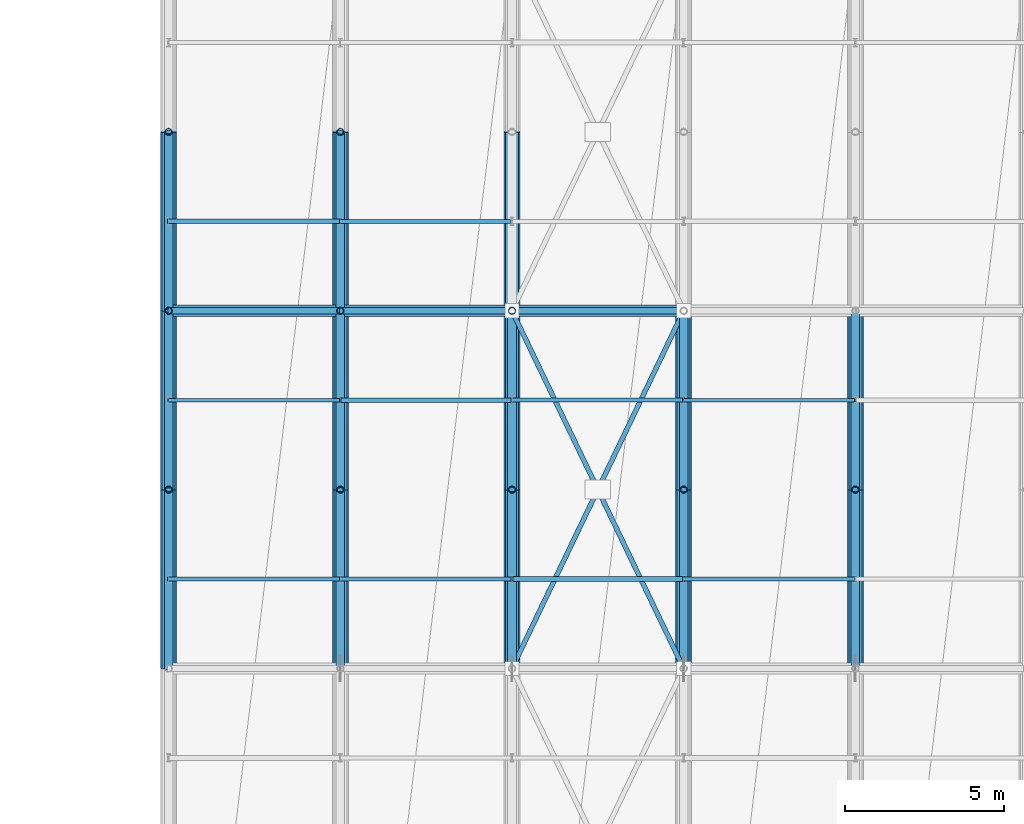
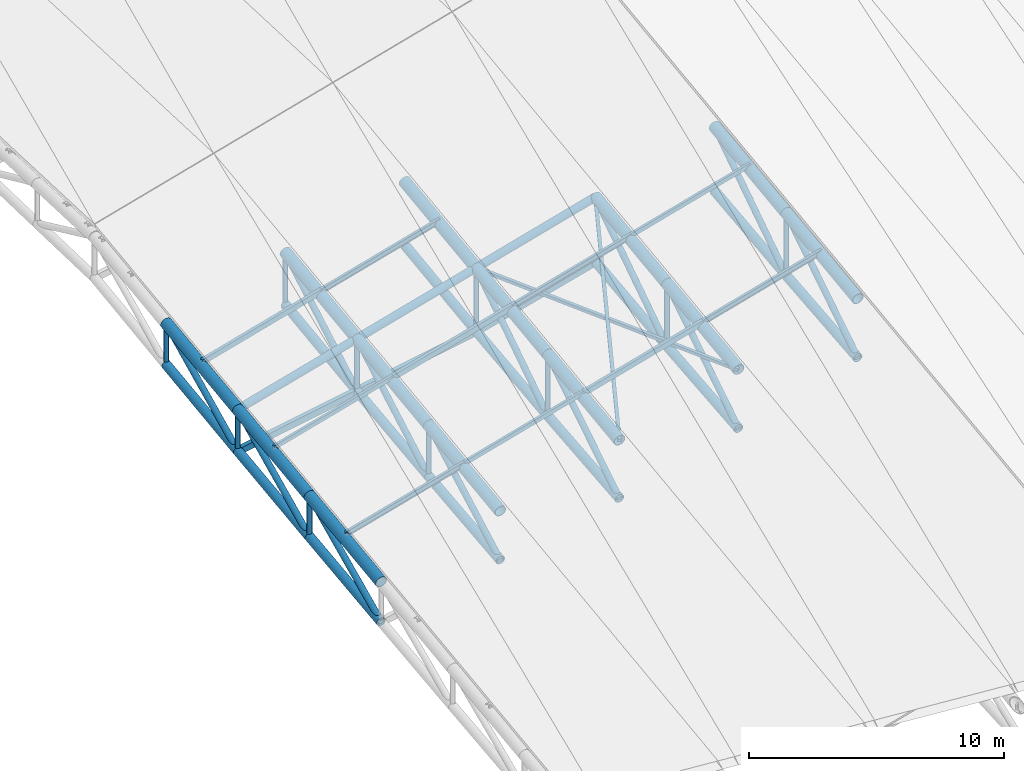
# One storey, part 11 of 109: 41 members, 26 beams.
"""IFC4 building model written with IfcOpenShell, lengths in metres."""

from ifc_helpers import new_model, si_unit, direction, frame, origin, origin_2d, place, context, subcontext, project, spatial, hollow_rectangle, hollow_circle, i_section, extrude, material, material_profile, profile_set, type_object, element, save


model = new_model("IFC4")

# Units and contexts
model_context = context("Model", 3, precision=1e-05, world=origin(), true_north=direction((0.0, 1.0)))
body_context = subcontext(model_context, "Body", "Model", "MODEL_VIEW")
ifc_project = project(units=[si_unit("LENGTHUNIT", "METRE"), si_unit("AREAUNIT", "SQUARE_METRE"), si_unit("VOLUMEUNIT", "CUBIC_METRE"), si_unit("PLANEANGLEUNIT", "RADIAN"), si_unit("MASSUNIT", "GRAM", prefix="KILO")], contexts=[model_context])

# Site, building, storey
site_placement = place(None, origin())
site = spatial("IfcSite", under=ifc_project, at=site_placement, CompositionType="ELEMENT")
building_placement = place(site_placement, origin())
building = spatial("IfcBuilding", under=site, at=building_placement, Name="Suirenkawa Promenade Aquatics Centre", CompositionType="ELEMENT")
storey_placement = place(building_placement, frame((0.0, 0.0, 22.800048828125)))
storey = spatial("IfcBuildingStorey", under=building, at=storey_placement, Name="ROOF", CompositionType="ELEMENT", Elevation=22.800048828125)

# Beams
ifc_material = material(Name="Steel IS 2062 E350 (Grade 350)", Category="steel")
ifc_material_profile_1 = material_profile(ifc_material, hollow_circle(Radius=0.202880859375, WallThickness=0.01806640625, at=origin_2d()), Name="CHS 406x18", Category="steel")
ifc_profile_set_1 = profile_set([ifc_material_profile_1], Name="Steel IS 2062 E350 (Grade 350)")
beam_type_1 = type_object("IfcBeamType", Name="BT-BC-CHS406", PredefinedType="BEAM", material=ifc_profile_set_1)
beam_1_placement = place(storey_placement, frame((46.800048828125, 72.89990234375, -14.008056640625), z_axis=(0.0, 0.993022923404, 0.117921472154), x_axis=(-1.0, 0.0, 0.0)))
element("IfcBeam", 1, at=beam_1_placement, inside=storey, type_object=beam_type_1, Name="ROOF TRUSS V1 bottom chord BC-01 BM-1816", PredefinedType="BEAM", context=body_context, shape_type="SweptSolid", body=[
    extrude(hollow_circle(Radius=0.202880859375, WallThickness=0.01806640625, at=origin_2d()), origin(), (0.0, 0.0, 1.0), 5.66455078125),
])
beam_2_placement = place(storey_placement, frame((46.800048828125, 78.52490234375, -13.340087890625), z_axis=(0.0, 0.992409843622, 0.122974396855), x_axis=(-1.0, 0.0, 0.0)))
element("IfcBeam", 2, at=beam_2_placement, inside=storey, type_object=beam_type_1, Name="ROOF TRUSS V1 bottom chord BC-01 BM-1818", PredefinedType="BEAM", context=body_context, shape_type="SweptSolid", body=[
    extrude(hollow_circle(Radius=0.202880859375, WallThickness=0.01806640625, at=origin_2d()), origin(), (0.0, 0.0, 1.0), 5.66796875),
])
beam_3_placement = place(storey_placement, frame((46.800048828125, 84.14990234375, -12.64306640625), z_axis=(0.0, 0.991706164536, 0.128525807609), x_axis=(-1.0, 0.0, 0.0)))
element("IfcBeam", 3, at=beam_3_placement, inside=storey, type_object=beam_type_1, Name="ROOF TRUSS V1 bottom chord BC-01 BM-1820", PredefinedType="BEAM", context=body_context, shape_type="SweptSolid", body=[
    extrude(hollow_circle(Radius=0.202880859375, WallThickness=0.01806640625, at=origin_2d()), origin(), (0.0, 0.0, 1.0), 5.672119140625),
])
beam_4_placement = place(storey_placement, frame((52.199951171875, 72.89990234375, -12.945068359375), z_axis=(0.0, 0.99415070903, 0.108001702461), x_axis=(-1.0, 0.0, 0.0)))
element("IfcBeam", 4, at=beam_4_placement, inside=storey, type_object=beam_type_1, Name="ROOF TRUSS V1 bottom chord BC-01 BM-1844", PredefinedType="BEAM", context=body_context, shape_type="SweptSolid", body=[
    extrude(hollow_circle(Radius=0.202880859375, WallThickness=0.01806640625, at=origin_2d()), origin(), (0.0, 0.0, 1.0), 5.658203125),
])
beam_5_placement = place(storey_placement, frame((52.199951171875, 78.52490234375, -12.333984375), z_axis=(0.0, 0.993002721465, 0.11809146948), x_axis=(-1.0, 0.0, 0.0)))
element("IfcBeam", 5, at=beam_5_placement, inside=storey, type_object=beam_type_1, Name="ROOF TRUSS V1 bottom chord BC-01 BM-1846", PredefinedType="BEAM", context=body_context, shape_type="SweptSolid", body=[
    extrude(hollow_circle(Radius=0.202880859375, WallThickness=0.01806640625, at=origin_2d()), origin(), (0.0, 0.0, 1.0), 5.66455078125),
])
beam_6_placement = place(storey_placement, frame((52.199951171875, 84.14990234375, -11.6650390625), z_axis=(0.0, 0.991662218835, 0.128864439375), x_axis=(-1.0, 0.0, 0.0)))
element("IfcBeam", 6, at=beam_6_placement, inside=storey, type_object=beam_type_1, Name="ROOF TRUSS V1 bottom chord BC-01 BM-1848", PredefinedType="BEAM", context=body_context, shape_type="SweptSolid", body=[
    extrude(hollow_circle(Radius=0.202880859375, WallThickness=0.01806640625, at=origin_2d()), origin(), (0.0, 0.0, 1.0), 5.67236328125),
])
beam_7_placement = place(storey_placement, frame((57.60009765625, 72.89990234375, -11.881103515625), z_axis=(0.0, 0.995219391524, 0.09766454185), x_axis=(-1.0, 0.0, 0.0)))
element("IfcBeam", 7, at=beam_7_placement, inside=storey, type_object=beam_type_1, Name="ROOF TRUSS V1 bottom chord BC-01 BM-1872", PredefinedType="BEAM", context=body_context, shape_type="SweptSolid", body=[
    extrude(hollow_circle(Radius=0.202880859375, WallThickness=0.01806640625, at=origin_2d()), origin(), (0.0, 0.0, 1.0), 5.652099609375),
])
beam_8_placement = place(storey_placement, frame((57.60009765625, 78.52490234375, -11.3291015625), z_axis=(0.0, 0.993547952937, 0.113412808864), x_axis=(-1.0, 0.0, 0.0)))
element("IfcBeam", 8, at=beam_8_placement, inside=storey, type_object=beam_type_1, Name="ROOF TRUSS V1 bottom chord BC-01 BM-1874", PredefinedType="BEAM", context=body_context, shape_type="SweptSolid", body=[
    extrude(hollow_circle(Radius=0.202880859375, WallThickness=0.01806640625, at=origin_2d()), origin(), (0.0, 0.0, 1.0), 5.66162109375),
])
beam_9_placement = place(storey_placement, frame((57.60009765625, 84.14990234375, -10.68701171875), z_axis=(0.0, 0.991596090831, 0.129372302476), x_axis=(-1.0, 0.0, 0.0)))
element("IfcBeam", 9, at=beam_9_placement, inside=storey, type_object=beam_type_1, Name="ROOF TRUSS V1 bottom chord BC-01 BM-1876", PredefinedType="BEAM", context=body_context, shape_type="SweptSolid", body=[
    extrude(hollow_circle(Radius=0.202880859375, WallThickness=0.01806640625, at=origin_2d()), origin(), (0.0, 0.0, 1.0), 5.672607421875),
])
beam_10_placement = place(storey_placement, frame((63.0, 72.89990234375, -10.427001953125), z_axis=(0.0, 0.995307161767, 0.096765974061), x_axis=(-1.0, 0.0, 0.0)))
element("IfcBeam", 10, at=beam_10_placement, inside=storey, type_object=beam_type_1, Name="ROOF TRUSS V1 bottom chord BC-01 BM-1900", PredefinedType="BEAM", context=body_context, shape_type="SweptSolid", body=[
    extrude(hollow_circle(Radius=0.202880859375, WallThickness=0.01806640625, at=origin_2d()), origin(), (0.0, 0.0, 1.0), 5.651611328125),
])
beam_11_placement = place(storey_placement, frame((63.0, 78.52490234375, -9.880126953125), z_axis=(0.0, 0.993625471381, 0.112731639852), x_axis=(-1.0, 0.0, 0.0)))
element("IfcBeam", 11, at=beam_11_placement, inside=storey, type_object=beam_type_1, Name="ROOF TRUSS V1 bottom chord BC-01 BM-1902", PredefinedType="BEAM", context=body_context, shape_type="SweptSolid", body=[
    extrude(hollow_circle(Radius=0.202880859375, WallThickness=0.01806640625, at=origin_2d()), origin(), (0.0, 0.0, 1.0), 5.6611328125),
])
beam_12_placement = place(storey_placement, frame((68.39990234375, 72.89990234375, -8.927001953125), z_axis=(0.0, 0.995307161767, 0.096765974061), x_axis=(-1.0, 0.0, 0.0)))
element("IfcBeam", 12, at=beam_12_placement, inside=storey, type_object=beam_type_1, Name="ROOF TRUSS V1 bottom chord BC-01 BM-1928", PredefinedType="BEAM", context=body_context, shape_type="SweptSolid", body=[
    extrude(hollow_circle(Radius=0.202880859375, WallThickness=0.01806640625, at=origin_2d()), origin(), (0.0, 0.0, 1.0), 5.651611328125),
])
beam_13_placement = place(storey_placement, frame((68.39990234375, 78.52490234375, -8.380126953125), z_axis=(0.0, 0.993625471381, 0.112731639852), x_axis=(-1.0, 0.0, 0.0)))
element("IfcBeam", 13, at=beam_13_placement, inside=storey, type_object=beam_type_1, Name="ROOF TRUSS V1 bottom chord BC-01 BM-1930", PredefinedType="BEAM", context=body_context, shape_type="SweptSolid", body=[
    extrude(hollow_circle(Radius=0.202880859375, WallThickness=0.01806640625, at=origin_2d()), origin(), (0.0, 0.0, 1.0), 5.6611328125),
])
ifc_material_profile_2 = material_profile(ifc_material, hollow_circle(Radius=0.25390625, WallThickness=0.02392578125, at=origin_2d()), Name="CHS 508x24", Category="steel")
ifc_profile_set_2 = profile_set([ifc_material_profile_2], Name="Steel IS 2062 E350 (Grade 350)")
beam_type_2 = type_object("IfcBeamType", Name="BT-TC-CHS508", PredefinedType="BEAM", material=ifc_profile_set_2)
for number, where, z_axis, x_axis, name in (
    (14, (46.800048828125, 72.89990234375, -12.10009765625), (0.0, 0.991793720609, 0.127848409297), (-1.0, 0.0, 0.0), "ROOF TRUSS V1 top chord TC-02 BM-1815"),
    (15, (46.800048828125, 78.52490234375, -11.375), (0.0, 0.991799178012, 0.127806065951), (-1.0, 0.0, 0.0), "ROOF TRUSS V1 top chord TC-02 BM-1817"),
    (16, (46.800048828125, 84.14990234375, -10.650146484375), (0.0, 0.991793720609, 0.127848409297), (-1.0, 0.0, 0.0), "ROOF TRUSS V1 top chord TC-02 BM-1819"),
    (17, (52.199951171875, 72.89990234375, -10.60009765625), (0.0, 0.991793720609, 0.127848409297), (-1.0, 0.0, 0.0), "ROOF TRUSS V1 top chord TC-02 BM-1843"),
    (18, (52.199951171875, 78.52490234375, -9.875), (0.0, 0.991799178012, 0.127806065951), (-1.0, 0.0, 0.0), "ROOF TRUSS V1 top chord TC-02 BM-1845"),
    (19, (52.199951171875, 84.14990234375, -9.150146484375), (0.0, 0.991793720609, 0.127848409297), (-1.0, 0.0, 0.0), "ROOF TRUSS V1 top chord TC-02 BM-1847"),
    (20, (57.60009765625, 72.89990234375, -9.10009765625), (0.0, 0.991793720609, 0.127848409297), (-1.0, 0.0, 0.0), "ROOF TRUSS V1 top chord TC-02 BM-1871"),
    (21, (57.60009765625, 78.52490234375, -8.375), (0.0, 0.991799178012, 0.127806065951), (-1.0, 0.0, 0.0), "ROOF TRUSS V1 top chord TC-02 BM-1873"),
    (22, (57.60009765625, 84.14990234375, -7.650146484375), (0.0, 0.991793720609, 0.127848409297), (-1.0, 0.0, 0.0), "ROOF TRUSS V1 top chord TC-02 BM-1875"),
    (23, (63.0, 72.89990234375, -7.60009765625), (0.0, 0.991793720609, 0.127848409297), (-1.0, 0.0, 0.0), "ROOF TRUSS V1 top chord TC-02 BM-1899"),
    (24, (63.0, 78.52490234375, -6.875), (0.0, 0.991799178012, 0.127806065951), (-1.0, 0.0, 0.0), "ROOF TRUSS V1 top chord TC-02 BM-1901"),
    (25, (68.39990234375, 72.89990234375, -6.10009765625), (0.0, 0.991793720609, 0.127848409297), (-1.0, 0.0, 0.0), "ROOF TRUSS V1 top chord TC-02 BM-1927"),
    (26, (68.39990234375, 78.52490234375, -5.375), (0.0, 0.991799178012, 0.127806065951), (-1.0, 0.0, 0.0), "ROOF TRUSS V1 top chord TC-02 BM-1929"),
):
    element("IfcBeam", number, at=place(storey_placement, frame(where, z_axis=z_axis, x_axis=x_axis)), inside=storey, type_object=beam_type_2, Name=name, PredefinedType="BEAM", context=body_context, shape_type="SweptSolid", body=[
        extrude(hollow_circle(Radius=0.25390625, WallThickness=0.02392578125, at=origin_2d()), origin(), (0.0, 0.0, 1.0), 5.671630859375),
    ])

# Members
ifc_material_profile_3 = material_profile(ifc_material, hollow_rectangle(XDim=0.14990234375, YDim=0.14990234375, WallThickness=0.008056640625, at=origin_2d()), Name="SHS 150x150x8", Category="steel")
ifc_profile_set_3 = profile_set([ifc_material_profile_3], Name="Steel IS 2062 E350 (Grade 350)")
member_type_1 = type_object("IfcMemberType", Name="MT-BRACE-SHS150", PredefinedType="BRACE", material=ifc_profile_set_3)
member_1_placement = place(storey_placement, frame((57.60009765625, 72.89990234375, -9.10009765625), z_axis=(0.421117950341, 0.877344929548, 0.230055529161), x_axis=(-0.901526110403, 0.432724707246, 0.0)))
element("IfcMember", 27, at=member_1_placement, inside=storey, type_object=member_type_1, Name="ROOF TRUSS V1 continuous plan brace BF-02 MB-0929", PredefinedType="BRACE", context=body_context, shape_type="SweptSolid", body=[
    extrude(hollow_rectangle(XDim=0.14990234375, YDim=0.14990234375, WallThickness=0.008056640625, at=origin_2d()), origin(), (0.0, 0.0, 1.0), 12.82275390625),
])
member_2_placement = place(storey_placement, frame((63.0, 72.89990234375, -7.60009765625), z_axis=(-0.432727524929, 0.901515676935, -0.004046406999), x_axis=(-0.901523057468, -0.432731067585, 0.0)))
element("IfcMember", 28, at=member_2_placement, inside=storey, type_object=member_type_1, Name="ROOF TRUSS V1 split plan brace A BF-02 MB-0930", PredefinedType="BRACE", context=body_context, shape_type="SweptSolid", body=[
    extrude(hollow_rectangle(XDim=0.14990234375, YDim=0.14990234375, WallThickness=0.008056640625, at=origin_2d()), origin(), (0.0, 0.0, 1.0), 6.154296875),
])
member_3_placement = place(storey_placement, frame((60.262939453125, 78.60205078125, -7.625), z_axis=(-0.432710687901, 0.901523578607, -0.004086293284), x_axis=(-0.901531105428, -0.432714300603, 0.0)))
element("IfcMember", 29, at=member_3_placement, inside=storey, type_object=member_type_1, Name="ROOF TRUSS V1 split plan brace B BF-02 MB-0931", PredefinedType="BRACE", context=body_context, shape_type="SweptSolid", body=[
    extrude(hollow_rectangle(XDim=0.14990234375, YDim=0.14990234375, WallThickness=0.008056640625, at=origin_2d()), origin(), (0.0, 0.0, 1.0), 6.15380859375),
])
ifc_material_profile_4 = material_profile(ifc_material, hollow_circle(Radius=0.177978515625, WallThickness=0.01611328125, at=origin_2d()), Name="CHS 356x16", Category="steel")
ifc_profile_set_4 = profile_set([ifc_material_profile_4], Name="Steel IS 2062 E350 (Grade 350)")
member_type_2 = type_object("IfcMemberType", Name="MT-CHORD-CHS356", PredefinedType="CHORD", material=ifc_profile_set_4)
member_4_placement = place(storey_placement, frame((46.800048828125, 84.14990234375, -10.650146484375), z_axis=(0.963516661409, 0.0, 0.267648357342), x_axis=(0.0, 1.0, 0.0)))
element("IfcMember", 30, at=member_4_placement, inside=storey, type_object=member_type_2, Name="ROOF TRUSS V1 tie chord CH-02 MB-0768", PredefinedType="CHORD", context=body_context, shape_type="SweptSolid", body=[
    extrude(hollow_circle(Radius=0.177978515625, WallThickness=0.01611328125, at=origin_2d()), origin(), (0.0, 0.0, 1.0), 5.604248046875),
])
member_5_placement = place(storey_placement, frame((52.199951171875, 84.14990234375, -9.150146484375), z_axis=(0.963519781844, 0.0, 0.267637123724), x_axis=(0.0, 1.0, 0.0)))
element("IfcMember", 31, at=member_5_placement, inside=storey, type_object=member_type_2, Name="ROOF TRUSS V1 tie chord CH-02 MB-0770", PredefinedType="CHORD", context=body_context, shape_type="SweptSolid", body=[
    extrude(hollow_circle(Radius=0.177978515625, WallThickness=0.01611328125, at=origin_2d()), origin(), (0.0, 0.0, 1.0), 5.6044921875),
])
member_6_placement = place(storey_placement, frame((57.60009765625, 84.14990234375, -7.650146484375), z_axis=(0.963516661409, 0.0, 0.267648357342), x_axis=(0.0, 1.0, 0.0)))
element("IfcMember", 32, at=member_6_placement, inside=storey, type_object=member_type_2, Name="ROOF TRUSS V1 tie chord CH-02 MB-0772", PredefinedType="CHORD", context=body_context, shape_type="SweptSolid", body=[
    extrude(hollow_circle(Radius=0.177978515625, WallThickness=0.01611328125, at=origin_2d()), origin(), (0.0, 0.0, 1.0), 5.604248046875),
])
ifc_material_profile_5 = material_profile(ifc_material, hollow_rectangle(XDim=0.199951171875, YDim=0.300048828125, WallThickness=0.011962890625, at=origin_2d()), Name="RHS 300x200x12", Category="steel")
ifc_profile_set_5 = profile_set([ifc_material_profile_5], Name="Steel IS 2062 E350 (Grade 350)")
member_type_3 = type_object("IfcMemberType", Name="MT-CHORD-RHS300", PredefinedType="CHORD", material=ifc_profile_set_5)
member_7_placement = place(storey_placement, frame((46.800048828125, 84.14990234375, -12.64306640625), z_axis=(0.983990692983, 0.0, 0.178219853336), x_axis=(0.0, 1.0, 0.0)))
element("IfcMember", 33, at=member_7_placement, inside=storey, type_object=member_type_3, Name="ROOF TRUSS V1 bottom tie CH-03 MB-0769", PredefinedType="CHORD", context=body_context, shape_type="SweptSolid", body=[
    extrude(hollow_rectangle(XDim=0.199951171875, YDim=0.300048828125, WallThickness=0.011962890625, at=origin_2d()), origin(), (0.0, 0.0, 1.0), 5.48779296875),
])
member_8_placement = place(storey_placement, frame((52.199951171875, 84.14990234375, -11.6650390625), z_axis=(0.983992105939, 0.0, 0.178212051919), x_axis=(0.0, 1.0, 0.0)))
element("IfcMember", 34, at=member_8_placement, inside=storey, type_object=member_type_3, Name="ROOF TRUSS V1 bottom tie CH-03 MB-0771", PredefinedType="CHORD", context=body_context, shape_type="SweptSolid", body=[
    extrude(hollow_rectangle(XDim=0.199951171875, YDim=0.300048828125, WallThickness=0.011962890625, at=origin_2d()), origin(), (0.0, 0.0, 1.0), 5.488037109375),
])
member_9_placement = place(storey_placement, frame((57.60009765625, 84.14990234375, -10.68701171875), z_axis=(0.966007671503, 0.0, 0.258513401195), x_axis=(0.0, 1.0, 0.0)))
element("IfcMember", 35, at=member_9_placement, inside=storey, type_object=member_type_3, Name="ROOF TRUSS V1 bottom tie CH-03 MB-0773", PredefinedType="CHORD", context=body_context, shape_type="SweptSolid", body=[
    extrude(hollow_rectangle(XDim=0.199951171875, YDim=0.300048828125, WallThickness=0.011962890625, at=origin_2d()), origin(), (0.0, 0.0, 1.0), 5.58984375),
])
ifc_material_profile_6 = material_profile(ifc_material, i_section(OverallWidth=0.125, OverallDepth=0.25, WebThickness=0.007080078125, FlangeThickness=0.012939453125, at=origin_2d()), Name="ISMB 250", Category="steel")
ifc_profile_set_6 = profile_set([ifc_material_profile_6], Name="Steel IS 2062 E350 (Grade 350)")
member_type_4 = type_object("IfcMemberType", Name="MT-PURLIN-ISMB250", PredefinedType="PURLIN", material=ifc_profile_set_6)
member_10_placement = place(storey_placement, frame((46.800048828125, 75.712890625, -11.51611328125), z_axis=(0.963516661409, 0.0, 0.267648357342), x_axis=(0.0, 1.0, 0.0)))
element("IfcMember", 36, at=member_10_placement, inside=storey, type_object=member_type_4, Name="ROOF TRUSS Roof purlin PU-04 MB-1684", PredefinedType="PURLIN", context=body_context, shape_type="SweptSolid", body=[
    extrude(i_section(OverallWidth=0.125, OverallDepth=0.25, WebThickness=0.007080078125, FlangeThickness=0.012939453125, at=origin_2d()), origin(), (0.0, 0.0, 1.0), 5.604248046875),
])
member_11_placement = place(storey_placement, frame((52.199951171875, 86.962890625, -8.567138671875), z_axis=(0.963519781844, 0.0, 0.267637123724), x_axis=(0.0, 1.0, 0.0)))
element("IfcMember", 37, at=member_11_placement, inside=storey, type_object=member_type_4, Name="ROOF TRUSS Roof purlin PU-04 MB-1737", PredefinedType="PURLIN", context=body_context, shape_type="SweptSolid", body=[
    extrude(i_section(OverallWidth=0.125, OverallDepth=0.25, WebThickness=0.007080078125, FlangeThickness=0.012939453125, at=origin_2d()), origin(), (0.0, 0.0, 1.0), 5.6044921875),
])
member_12_placement = place(storey_placement, frame((57.60009765625, 81.337890625, -7.7919921875), z_axis=(0.96347171364, 0.0, 0.267810113729), x_axis=(0.0, 1.0, 0.0)))
element("IfcMember", 38, at=member_12_placement, inside=storey, type_object=member_type_4, Name="ROOF TRUSS Roof purlin PU-04 MB-1771", PredefinedType="PURLIN", context=body_context, shape_type="SweptSolid", body=[
    extrude(i_section(OverallWidth=0.125, OverallDepth=0.25, WebThickness=0.007080078125, FlangeThickness=0.012939453125, at=origin_2d()), origin(), (0.0, 0.0, 1.0), 5.604736328125),
])
member_13_placement = place(storey_placement, frame((63.0, 75.712890625, -7.01611328125), z_axis=(0.963516661409, 0.0, 0.267648357342), x_axis=(0.0, 1.0, 0.0)))
element("IfcMember", 39, at=member_13_placement, inside=storey, type_object=member_type_4, Name="ROOF TRUSS Roof purlin PU-04 MB-1805", PredefinedType="PURLIN", context=body_context, shape_type="SweptSolid", body=[
    extrude(i_section(OverallWidth=0.125, OverallDepth=0.25, WebThickness=0.007080078125, FlangeThickness=0.012939453125, at=origin_2d()), origin(), (0.0, 0.0, 1.0), 5.604248046875),
])
ifc_material_profile_7 = material_profile(ifc_material, hollow_rectangle(XDim=0.1201171875, YDim=0.199951171875, WallThickness=0.008056640625, at=origin_2d()), Name="RHS 200x120x8", Category="steel")
ifc_profile_set_7 = profile_set([ifc_material_profile_7], Name="Steel IS 2062 E350 (Grade 350)")
member_type_5 = type_object("IfcMemberType", Name="MT-PURLIN-RHS200", PredefinedType="PURLIN", material=ifc_profile_set_7)
member_14_placement = place(storey_placement, frame((46.800048828125, 81.337890625, -10.76611328125), z_axis=(0.963516661409, 0.0, 0.267648357342), x_axis=(0.0, 1.0, 0.0)))
element("IfcMember", 40, at=member_14_placement, inside=storey, type_object=member_type_5, Name="ROOF TRUSS Roof purlin PU-02 MB-1687", PredefinedType="PURLIN", context=body_context, shape_type="SweptSolid", body=[
    extrude(hollow_rectangle(XDim=0.1201171875, YDim=0.199951171875, WallThickness=0.008056640625, at=origin_2d()), origin(), (0.0, 0.0, 1.0), 5.604248046875),
])
member_15_placement = place(storey_placement, frame((52.199951171875, 75.712890625, -9.990966796875), z_axis=(0.963519781844, 0.0, 0.267637123724), x_axis=(0.0, 1.0, 0.0)))
element("IfcMember", 41, at=member_15_placement, inside=storey, type_object=member_type_5, Name="ROOF TRUSS Roof purlin PU-02 MB-1733", PredefinedType="PURLIN", context=body_context, shape_type="SweptSolid", body=[
    extrude(hollow_rectangle(XDim=0.1201171875, YDim=0.199951171875, WallThickness=0.008056640625, at=origin_2d()), origin(), (0.0, 0.0, 1.0), 5.6044921875),
])
member_16_placement = place(storey_placement, frame((63.0, 81.337890625, -6.26611328125), z_axis=(0.963516661409, 0.0, 0.267648357342), x_axis=(0.0, 1.0, 0.0)))
element("IfcMember", 42, at=member_16_placement, inside=storey, type_object=member_type_5, Name="ROOF TRUSS Roof purlin PU-02 MB-1807", PredefinedType="PURLIN", context=body_context, shape_type="SweptSolid", body=[
    extrude(hollow_rectangle(XDim=0.1201171875, YDim=0.199951171875, WallThickness=0.008056640625, at=origin_2d()), origin(), (0.0, 0.0, 1.0), 5.604248046875),
])
ifc_material_profile_8 = material_profile(ifc_material, hollow_rectangle(XDim=0.14990234375, YDim=0.25, WallThickness=0.010009765625, at=origin_2d()), Name="RHS 250x150x10", Category="steel")
ifc_profile_set_8 = profile_set([ifc_material_profile_8], Name="Steel IS 2062 E350 (Grade 350)")
member_type_6 = type_object("IfcMemberType", Name="MT-PURLIN-RHS250", PredefinedType="PURLIN", material=ifc_profile_set_8)
member_17_placement = place(storey_placement, frame((46.800048828125, 86.962890625, -10.068115234375), z_axis=(0.963516661409, 0.0, 0.267648357342), x_axis=(0.0, 1.0, 0.0)))
element("IfcMember", 43, at=member_17_placement, inside=storey, type_object=member_type_6, Name="ROOF TRUSS Roof purlin PU-03 MB-1690", PredefinedType="PURLIN", context=body_context, shape_type="SweptSolid", body=[
    extrude(hollow_rectangle(XDim=0.14990234375, YDim=0.25, WallThickness=0.010009765625, at=origin_2d()), origin(), (0.0, 0.0, 1.0), 5.604248046875),
])
member_18_placement = place(storey_placement, frame((52.199951171875, 81.337890625, -9.29296875), z_axis=(0.963519781844, 0.0, 0.267637123724), x_axis=(0.0, 1.0, 0.0)))
element("IfcMember", 44, at=member_18_placement, inside=storey, type_object=member_type_6, Name="ROOF TRUSS Roof purlin PU-03 MB-1735", PredefinedType="PURLIN", context=body_context, shape_type="SweptSolid", body=[
    extrude(hollow_rectangle(XDim=0.14990234375, YDim=0.25, WallThickness=0.010009765625, at=origin_2d()), origin(), (0.0, 0.0, 1.0), 5.6044921875),
])
member_19_placement = place(storey_placement, frame((57.60009765625, 75.712890625, -8.51806640625), z_axis=(0.963516661409, 0.0, 0.267648357342), x_axis=(0.0, 1.0, 0.0)))
element("IfcMember", 45, at=member_19_placement, inside=storey, type_object=member_type_6, Name="ROOF TRUSS Roof purlin PU-03 MB-1769", PredefinedType="PURLIN", context=body_context, shape_type="SweptSolid", body=[
    extrude(hollow_rectangle(XDim=0.14990234375, YDim=0.25, WallThickness=0.010009765625, at=origin_2d()), origin(), (0.0, 0.0, 1.0), 5.604248046875),
])
ifc_material_profile_9 = material_profile(ifc_material, hollow_circle(Radius=0.110107421875, WallThickness=0.010009765625, at=origin_2d()), Name="CHS 220x10", Category="steel")
ifc_profile_set_9 = profile_set([ifc_material_profile_9], Name="Steel IS 2062 E350 (Grade 350)")
member_type_7 = type_object("IfcMemberType", Name="MT-WEB-CHS220", PredefinedType="BRACE", material=ifc_profile_set_9)
member_20_placement = place(storey_placement, frame((46.800048828125, 78.52490234375, -13.340087890625), z_axis=(0.0, 0.0, 1.0), x_axis=(1.0, 0.0, 0.0)))
element("IfcMember", 46, at=member_20_placement, inside=storey, type_object=member_type_7, Name="ROOF TRUSS V1 web post TD-01 MB-0019", PredefinedType="BRACE", context=body_context, shape_type="SweptSolid", body=[
    extrude(hollow_circle(Radius=0.110107421875, WallThickness=0.010009765625, at=origin_2d()), origin(), (0.0, 0.0, 1.0), 1.965087890625),
])
member_21_placement = place(storey_placement, frame((46.800048828125, 84.14990234375, -12.64306640625), z_axis=(0.0, 0.0, 1.0), x_axis=(1.0, 0.0, 0.0)))
element("IfcMember", 47, at=member_21_placement, inside=storey, type_object=member_type_7, Name="ROOF TRUSS V1 web post TD-01 MB-0020", PredefinedType="BRACE", context=body_context, shape_type="SweptSolid", body=[
    extrude(hollow_circle(Radius=0.110107421875, WallThickness=0.010009765625, at=origin_2d()), origin(), (0.0, 0.0, 1.0), 1.992919921875),
])
member_22_placement = place(storey_placement, frame((46.800048828125, 89.77490234375, -11.9140625), z_axis=(0.0, 0.0, 1.0), x_axis=(1.0, 0.0, 0.0)))
element("IfcMember", 48, at=member_22_placement, inside=storey, type_object=member_type_7, Name="ROOF TRUSS V1 web post TD-01 MB-0021", PredefinedType="BRACE", context=body_context, shape_type="SweptSolid", body=[
    extrude(hollow_circle(Radius=0.110107421875, WallThickness=0.010009765625, at=origin_2d()), origin(), (0.0, 0.0, 1.0), 1.989013671875),
])
member_23_placement = place(storey_placement, frame((52.199951171875, 78.52490234375, -12.333984375), z_axis=(0.0, 0.0, 1.0), x_axis=(1.0, 0.0, 0.0)))
element("IfcMember", 49, at=member_23_placement, inside=storey, type_object=member_type_7, Name="ROOF TRUSS V1 web post TD-01 MB-0046", PredefinedType="BRACE", context=body_context, shape_type="SweptSolid", body=[
    extrude(hollow_circle(Radius=0.110107421875, WallThickness=0.010009765625, at=origin_2d()), origin(), (0.0, 0.0, 1.0), 2.458984375),
])
member_24_placement = place(storey_placement, frame((52.199951171875, 84.14990234375, -11.6650390625), z_axis=(0.0, 0.0, 1.0), x_axis=(1.0, 0.0, 0.0)))
element("IfcMember", 50, at=member_24_placement, inside=storey, type_object=member_type_7, Name="ROOF TRUSS V1 web post TD-01 MB-0047", PredefinedType="BRACE", context=body_context, shape_type="SweptSolid", body=[
    extrude(hollow_circle(Radius=0.110107421875, WallThickness=0.010009765625, at=origin_2d()), origin(), (0.0, 0.0, 1.0), 2.514892578125),
])
member_25_placement = place(storey_placement, frame((52.199951171875, 89.77490234375, -10.93408203125), z_axis=(0.0, 0.0, 1.0), x_axis=(1.0, 0.0, 0.0)))
element("IfcMember", 51, at=member_25_placement, inside=storey, type_object=member_type_7, Name="ROOF TRUSS V1 web post TD-01 MB-0048", PredefinedType="BRACE", context=body_context, shape_type="SweptSolid", body=[
    extrude(hollow_circle(Radius=0.110107421875, WallThickness=0.010009765625, at=origin_2d()), origin(), (0.0, 0.0, 1.0), 2.509033203125),
])
member_26_placement = place(storey_placement, frame((57.60009765625, 78.52490234375, -11.3291015625), z_axis=(0.0, 0.0, 1.0), x_axis=(1.0, 0.0, 0.0)))
element("IfcMember", 52, at=member_26_placement, inside=storey, type_object=member_type_7, Name="ROOF TRUSS V1 web post TD-01 MB-0073", PredefinedType="BRACE", context=body_context, shape_type="SweptSolid", body=[
    extrude(hollow_circle(Radius=0.110107421875, WallThickness=0.010009765625, at=origin_2d()), origin(), (0.0, 0.0, 1.0), 2.9541015625),
])
member_27_placement = place(storey_placement, frame((57.60009765625, 84.14990234375, -10.68701171875), z_axis=(0.0, 0.0, 1.0), x_axis=(1.0, 0.0, 0.0)))
element("IfcMember", 53, at=member_27_placement, inside=storey, type_object=member_type_7, Name="ROOF TRUSS V1 web post TD-01 MB-0074", PredefinedType="BRACE", context=body_context, shape_type="SweptSolid", body=[
    extrude(hollow_circle(Radius=0.110107421875, WallThickness=0.010009765625, at=origin_2d()), origin(), (0.0, 0.0, 1.0), 3.036865234375),
])
for number, where, z_axis, x_axis, name in (
    (54, (63.0, 78.52490234375, -9.880126953125), (0.0, 0.0, 1.0), (1.0, 0.0, 0.0), "ROOF TRUSS V1 web post TD-01 MB-0100"),
    (55, (68.39990234375, 78.52490234375, -8.380126953125), (0.0, 0.0, 1.0), (1.0, 0.0, 0.0), "ROOF TRUSS V1 web post TD-01 MB-0127"),
):
    element("IfcMember", number, at=place(storey_placement, frame(where, z_axis=z_axis, x_axis=x_axis)), inside=storey, type_object=member_type_7, Name=name, PredefinedType="BRACE", context=body_context, shape_type="SweptSolid", body=[
        extrude(hollow_circle(Radius=0.110107421875, WallThickness=0.010009765625, at=origin_2d()), origin(), (0.0, 0.0, 1.0), 3.005126953125),
    ])
ifc_material_profile_10 = material_profile(ifc_material, hollow_circle(Radius=0.136962890625, WallThickness=0.011962890625, at=origin_2d()), Name="CHS 274x12", Category="steel")
ifc_profile_set_10 = profile_set([ifc_material_profile_10], Name="Steel IS 2062 E350 (Grade 350)")
member_type_8 = type_object("IfcMemberType", Name="MT-WEB-CHS274", PredefinedType="BRACE", material=ifc_profile_set_10)
member_28_placement = place(storey_placement, frame((46.800048828125, 72.89990234375, -14.008056640625), z_axis=(0.0, 0.905685409546, 0.423950396786), x_axis=(-1.0, 0.0, 0.0)))
element("IfcMember", 56, at=member_28_placement, inside=storey, type_object=member_type_8, Name="ROOF TRUSS V1 web diagonal TD-02 MB-0005", PredefinedType="BRACE", context=body_context, shape_type="SweptSolid", body=[
    extrude(hollow_circle(Radius=0.136962890625, WallThickness=0.011962890625, at=origin_2d()), origin(), (0.0, 0.0, 1.0), 6.210693359375),
])
member_29_placement = place(storey_placement, frame((46.800048828125, 78.52490234375, -13.340087890625), z_axis=(0.0, 0.902151449503, 0.431419473551), x_axis=(-1.0, 0.0, 0.0)))
element("IfcMember", 57, at=member_29_placement, inside=storey, type_object=member_type_8, Name="ROOF TRUSS V1 web diagonal TD-02 MB-0006", PredefinedType="BRACE", context=body_context, shape_type="SweptSolid", body=[
    extrude(hollow_circle(Radius=0.136962890625, WallThickness=0.011962890625, at=origin_2d()), origin(), (0.0, 0.0, 1.0), 6.235107421875),
])
member_30_placement = place(storey_placement, frame((46.800048828125, 84.14990234375, -12.64306640625), z_axis=(0.0, 0.900394882461, 0.435073620939), x_axis=(-1.0, 0.0, 0.0)))
element("IfcMember", 58, at=member_30_placement, inside=storey, type_object=member_type_8, Name="ROOF TRUSS V1 web diagonal TD-02 MB-0007", PredefinedType="BRACE", context=body_context, shape_type="SweptSolid", body=[
    extrude(hollow_circle(Radius=0.136962890625, WallThickness=0.011962890625, at=origin_2d()), origin(), (0.0, 0.0, 1.0), 6.247314453125),
])
member_31_placement = place(storey_placement, frame((52.199951171875, 72.89990234375, -12.945068359375), z_axis=(0.0, 0.877771786626, 0.479079002466), x_axis=(-1.0, 0.0, 0.0)))
element("IfcMember", 59, at=member_31_placement, inside=storey, type_object=member_type_8, Name="ROOF TRUSS V1 web diagonal TD-02 MB-0032", PredefinedType="BRACE", context=body_context, shape_type="SweptSolid", body=[
    extrude(hollow_circle(Radius=0.136962890625, WallThickness=0.011962890625, at=origin_2d()), origin(), (0.0, 0.0, 1.0), 6.408203125),
])
member_32_placement = place(storey_placement, frame((52.199951171875, 78.52490234375, -12.333984375), z_axis=(0.0, 0.870265103873, 0.492583646684), x_axis=(-1.0, 0.0, 0.0)))
element("IfcMember", 60, at=member_32_placement, inside=storey, type_object=member_type_8, Name="ROOF TRUSS V1 web diagonal TD-02 MB-0033", PredefinedType="BRACE", context=body_context, shape_type="SweptSolid", body=[
    extrude(hollow_circle(Radius=0.136962890625, WallThickness=0.011962890625, at=origin_2d()), origin(), (0.0, 0.0, 1.0), 6.463623046875),
])
member_33_placement = place(storey_placement, frame((52.199951171875, 84.14990234375, -11.6650390625), z_axis=(0.0, 0.866532256755, 0.499121075495), x_axis=(-1.0, 0.0, 0.0)))
element("IfcMember", 61, at=member_33_placement, inside=storey, type_object=member_type_8, Name="ROOF TRUSS V1 web diagonal TD-02 MB-0034", PredefinedType="BRACE", context=body_context, shape_type="SweptSolid", body=[
    extrude(hollow_circle(Radius=0.136962890625, WallThickness=0.011962890625, at=origin_2d()), origin(), (0.0, 0.0, 1.0), 6.491455078125),
])
member_34_placement = place(storey_placement, frame((57.60009765625, 72.89990234375, -11.881103515625), z_axis=(0.0, 0.848643295317, 0.528965553995), x_axis=(-1.0, 0.0, 0.0)))
element("IfcMember", 62, at=member_34_placement, inside=storey, type_object=member_type_8, Name="ROOF TRUSS V1 web diagonal TD-02 MB-0059", PredefinedType="BRACE", context=body_context, shape_type="SweptSolid", body=[
    extrude(hollow_circle(Radius=0.136962890625, WallThickness=0.011962890625, at=origin_2d()), origin(), (0.0, 0.0, 1.0), 6.628173828125),
])
member_35_placement = place(storey_placement, frame((57.60009765625, 78.52490234375, -11.3291015625), z_axis=(0.0, 0.83689665813, 0.547360926274), x_axis=(-1.0, 0.0, 0.0)))
element("IfcMember", 63, at=member_35_placement, inside=storey, type_object=member_type_8, Name="ROOF TRUSS V1 web diagonal TD-02 MB-0060", PredefinedType="BRACE", context=body_context, shape_type="SweptSolid", body=[
    extrude(hollow_circle(Radius=0.136962890625, WallThickness=0.011962890625, at=origin_2d()), origin(), (0.0, 0.0, 1.0), 6.72119140625),
])
member_36_placement = place(storey_placement, frame((63.0, 72.89990234375, -10.427001953125), z_axis=(0.0, 0.845531630367, 0.533925333777), x_axis=(-1.0, 0.0, 0.0)))
element("IfcMember", 64, at=member_36_placement, inside=storey, type_object=member_type_8, Name="ROOF TRUSS V1 web diagonal TD-02 MB-0086", PredefinedType="BRACE", context=body_context, shape_type="SweptSolid", body=[
    extrude(hollow_circle(Radius=0.136962890625, WallThickness=0.011962890625, at=origin_2d()), origin(), (0.0, 0.0, 1.0), 6.652587890625),
])
member_37_placement = place(storey_placement, frame((63.0, 78.52490234375, -9.880126953125), z_axis=(0.0, 0.833416754205, 0.552645016091), x_axis=(-1.0, 0.0, 0.0)))
element("IfcMember", 65, at=member_37_placement, inside=storey, type_object=member_type_8, Name="ROOF TRUSS V1 web diagonal TD-02 MB-0087", PredefinedType="BRACE", context=body_context, shape_type="SweptSolid", body=[
    extrude(hollow_circle(Radius=0.136962890625, WallThickness=0.011962890625, at=origin_2d()), origin(), (0.0, 0.0, 1.0), 6.749267578125),
])
member_38_placement = place(storey_placement, frame((68.39990234375, 72.89990234375, -8.927001953125), z_axis=(0.0, 0.845531630367, 0.533925333777), x_axis=(-1.0, 0.0, 0.0)))
element("IfcMember", 66, at=member_38_placement, inside=storey, type_object=member_type_8, Name="ROOF TRUSS V1 web diagonal TD-02 MB-0113", PredefinedType="BRACE", context=body_context, shape_type="SweptSolid", body=[
    extrude(hollow_circle(Radius=0.136962890625, WallThickness=0.011962890625, at=origin_2d()), origin(), (0.0, 0.0, 1.0), 6.652587890625),
])
member_39_placement = place(storey_placement, frame((68.39990234375, 78.52490234375, -8.380126953125), z_axis=(0.0, 0.833416754205, 0.552645016091), x_axis=(-1.0, 0.0, 0.0)))
element("IfcMember", 67, at=member_39_placement, inside=storey, type_object=member_type_8, Name="ROOF TRUSS V1 web diagonal TD-02 MB-0114", PredefinedType="BRACE", context=body_context, shape_type="SweptSolid", body=[
    extrude(hollow_circle(Radius=0.136962890625, WallThickness=0.011962890625, at=origin_2d()), origin(), (0.0, 0.0, 1.0), 6.749267578125),
])

save(model, "model.ifc")
